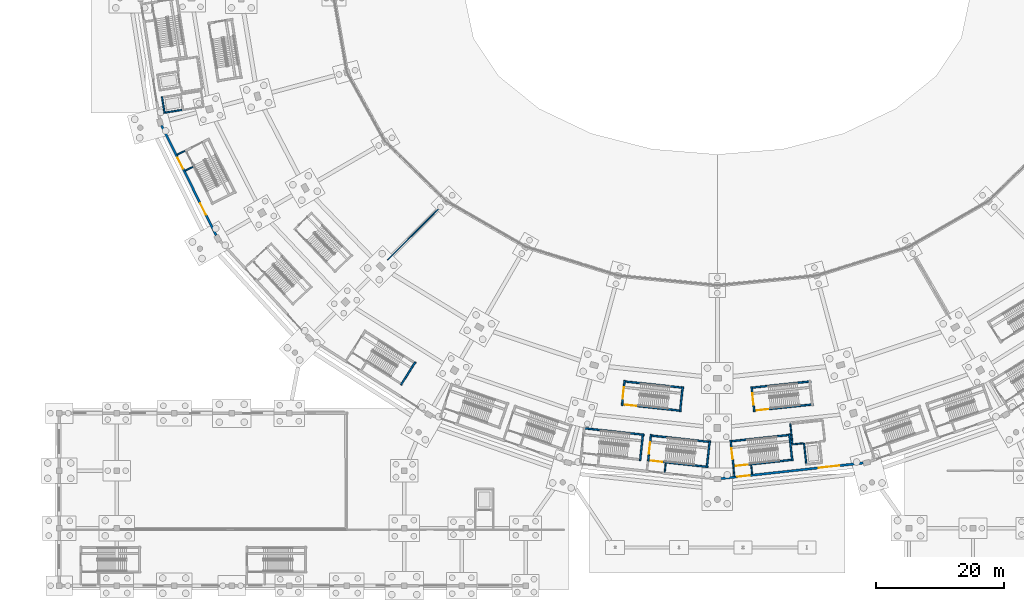
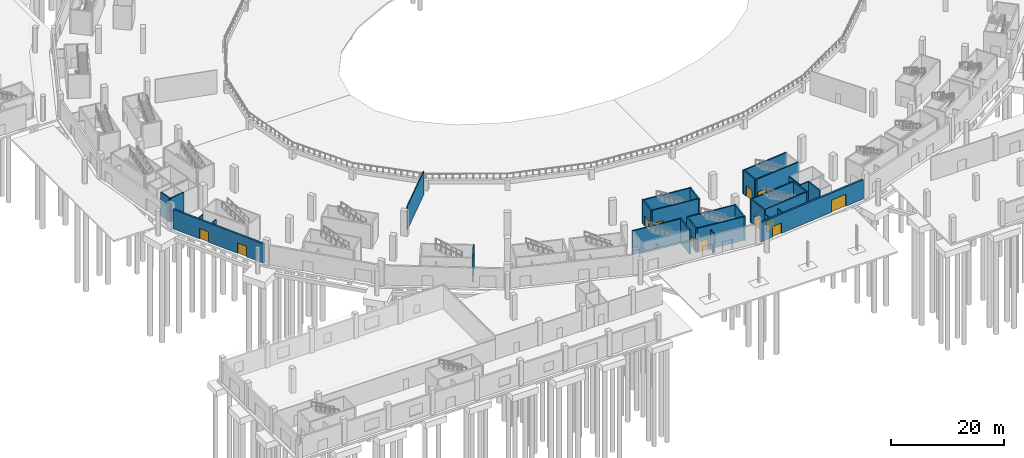
# One storey, part 33 of 103: 31 walls, 12 doors, 12 openings.
"""IFC4 building model written with IfcOpenShell, lengths in metres."""

import ifcopenshell
import ifcopenshell.guid

model = None  # the IFC model being written
_history = None  # IfcOwnerHistory: only IFC2X3 demands one
_inside = {}  # id of a spatial element -> (the spatial element, [elements in it])
_under = {}  # id of a project, library or spatial element -> (it, [spatial elements below it])
_declared = {}  # id of a project -> (the project, [libraries it declares])
_typed = {}  # id of a type object -> (the type object, [elements of that type])
_made_of = {}  # id of a material, layer set ... -> (it, [elements and type objects made of it])


def new_model(schema):
    """Start an empty IFC model of exactly this schema.

    Asked for "IFC4X3", IfcOpenShell would pick the latest addendum, in which some entities
    have other attributes; the version numbers below select the first issue.
    IFC2X3 requires an IfcOwnerHistory on every rooted entity: one is made here for all.
    """
    global model, _history
    if schema == "IFC4X3":
        model = ifcopenshell.file(schema_version=(4, 3, 0, 0))
    else:
        model = ifcopenshell.file(schema=schema)
    _inside.clear()
    _under.clear()
    _declared.clear()
    _typed.clear()
    _made_of.clear()
    _history = None
    if model.schema == "IFC2X3":
        org = make("IfcOrganization", Name="unknown")
        user = make(
            "IfcPersonAndOrganization",
            ThePerson=make("IfcPerson", FamilyName="unknown"),
            TheOrganization=org,
        )
        app = make(
            "IfcApplication",
            ApplicationDeveloper=org,
            Version="unknown",
            ApplicationFullName="unknown",
            ApplicationIdentifier="unknown",
        )
        _history = make(
            "IfcOwnerHistory",
            OwningUser=user,
            OwningApplication=app,
            ChangeAction="ADDED",
            CreationDate=0,
        )
    return model


def make(cls, **values):
    """One entity of the class cls with the attributes given. An attribute that is None is left unset."""
    return model.create_entity(
        cls, **{name: value for name, value in values.items() if value is not None}
    )


def rooted(cls, **values):
    """An entity with a GlobalId (a new one), such as an element, a storey or a relation."""
    return make(cls, GlobalId=ifcopenshell.guid.new(), OwnerHistory=_history, **values)


def si_unit(unit_type, name, prefix=None):
    """IfcSIUnit, for example si_unit("LENGTHUNIT", "METRE", prefix="MILLI")."""
    return make("IfcSIUnit", UnitType=unit_type, Prefix=prefix, Name=name)


def assignment(units):
    """IfcUnitAssignment: the units of a project."""
    return None if units is None else make("IfcUnitAssignment", Units=units)


def point(xyz):
    """IfcCartesianPoint."""
    return None if xyz is None else make("IfcCartesianPoint", Coordinates=xyz)


def direction(xyz):
    """IfcDirection."""
    return None if xyz is None else make("IfcDirection", DirectionRatios=xyz)


def frame(location, z_axis=None, x_axis=None):
    """IfcAxis2Placement3D, a coordinate frame: its origin and axes. An axis left out is left unset."""
    return make(
        "IfcAxis2Placement3D",
        Location=point(location),
        Axis=direction(z_axis),
        RefDirection=direction(x_axis),
    )


def frame_2d(location, x_axis=None):
    """IfcAxis2Placement2D, a coordinate frame in the plane: its origin and x axis."""
    return make(
        "IfcAxis2Placement2D", Location=point(location), RefDirection=direction(x_axis)
    )


def origin():
    """The frame at (0, 0, 0) with its axes left unset."""
    return frame((0.0, 0.0, 0.0))


def place(relative_to, where):
    """IfcLocalPlacement: puts the frame where relative to a parent placement (None: the world)."""
    return make(
        "IfcLocalPlacement", PlacementRelTo=relative_to, RelativePlacement=where
    )


def context(
    kind, dimensions, precision=None, world=None, true_north=None, identifier=None
):
    """IfcGeometricRepresentationContext, for example the 3D "Model" context."""
    return make(
        "IfcGeometricRepresentationContext",
        ContextIdentifier=identifier,
        ContextType=kind,
        CoordinateSpaceDimension=dimensions,
        Precision=precision,
        WorldCoordinateSystem=world,
        TrueNorth=true_north,
    )


def subcontext(parent, identifier, kind, view, scale=None):
    """IfcGeometricRepresentationSubContext, for example "Body" below "Model"."""
    return make(
        "IfcGeometricRepresentationSubContext",
        ContextIdentifier=identifier,
        ContextType=kind,
        ParentContext=parent,
        TargetScale=scale,
        TargetView=view,
    )


def project(units=None, contexts=None):
    """IfcProject with its units and contexts."""
    return rooted(
        "IfcProject",
        Name="project",
        RepresentationContexts=contexts,
        UnitsInContext=assignment(units),
    )


def spatial(cls, under=None, at=None, **own):
    """A site, building, storey or space (cls), placed at a placement, below another one or the project."""
    s = rooted(cls, ObjectPlacement=at, **own)
    if under is not None:
        _under.setdefault(under.id(), (under, []))[1].append(s)
    return s


def profile(cls, at=None, kind="AREA", **sizes):
    """A parametric profile (cls). Its sizes go by their IFC names, for example OverallWidth=200.0."""
    return make(cls, ProfileType=kind, Position=at, **sizes)


def rectangle(**sizes):
    """IfcRectangleProfileDef."""
    return profile("IfcRectangleProfileDef", **sizes)


def extrude(swept, where, along, depth):
    """IfcExtrudedAreaSolid: the profile swept, set in the frame where, extruded along a direction by depth."""
    return make(
        "IfcExtrudedAreaSolid",
        SweptArea=swept,
        Position=where,
        ExtrudedDirection=direction(along),
        Depth=depth,
    )


def shape(context_of_items, identifier, shape_type, items):
    """IfcShapeRepresentation: the items that make up one representation, for example the "Body"."""
    return make(
        "IfcShapeRepresentation",
        ContextOfItems=context_of_items,
        RepresentationIdentifier=identifier,
        RepresentationType=shape_type,
        Items=items,
    )


def material(Name=None, Category=None):
    """IfcMaterial."""
    return make("IfcMaterial", Name=Name, Category=Category)


def layer(
    of_material, thickness, ventilated=None, Name=None, Category=None, Priority=None
):
    """IfcMaterialLayer: one layer of a wall or slab, of a material (None: an air gap)."""
    return make(
        "IfcMaterialLayer",
        Material=of_material,
        LayerThickness=thickness,
        IsVentilated=ventilated,
        Name=Name,
        Category=Category,
        Priority=Priority,
    )


def layer_set(layers, Name=None):
    """IfcMaterialLayerSet."""
    return make("IfcMaterialLayerSet", MaterialLayers=layers, LayerSetName=Name)


def made_of(thing, what):
    """Note that an element or type object is made of a material, layer set ...; save() writes the relation."""
    if what is not None:
        _made_of.setdefault(what.id(), (what, []))[1].append(thing)
    return thing


def type_object(cls, material=None, **own):
    """A type object (cls), such as IfcWallType, which elements share."""
    return made_of(rooted(cls, **own), material)


def element(
    cls,
    number,
    at=None,
    inside=None,
    cuts=None,
    type_object=None,
    material=None,
    context=None,
    identifier="Body",
    shape_type=None,
    held_by="IfcProductDefinitionShape",
    body=None,
    shapes=None,
    **own,
):
    """One element of the class cls, such as IfcWall. Its Tag is "e" and its number.

    at: its placement. inside: the storey or other place that contains it. cuts: it is an
    opening in that element (IfcRelVoidsElement). A single representation is given by context,
    identifier, shape_type and body (its items); several are given by shapes. held_by: the class
    of the entity that holds the representations. save() writes the other relations.
    """
    e = rooted(cls, Tag="e%d" % number, ObjectPlacement=at, **own)
    if body is not None:
        shapes = [shape(context, identifier, shape_type, body)]
    if shapes is not None:
        e.Representation = make(held_by, Representations=shapes)
    if inside is not None:
        _inside.setdefault(inside.id(), (inside, []))[1].append(e)
    if cuts is not None:
        rooted(
            "IfcRelVoidsElement", RelatingBuildingElement=cuts, RelatedOpeningElement=e
        )
    if type_object is not None:
        _typed.setdefault(type_object.id(), (type_object, []))[1].append(e)
    return made_of(e, material)


def fill(opening, filler):
    """IfcRelFillsElement: the door or window that sits in an opening."""
    return rooted(
        "IfcRelFillsElement",
        RelatingOpeningElement=opening,
        RelatedBuildingElement=filler,
    )


def aggregate(whole, parts):
    """IfcRelAggregates: a whole, such as a stair, and the parts it consists of."""
    return rooted("IfcRelAggregates", RelatingObject=whole, RelatedObjects=parts)


def save(model, path):
    """Write the relations noted so far, then the file.

    IfcRelAggregates (storeys below a building ...), IfcRelContainedInSpatialStructure (elements
    in a storey), IfcRelDefinesByType, IfcRelAssociatesMaterial and IfcRelDeclares: one each for
    every whole, place, type object, material and project.
    """
    for whole, parts in _under.values():
        aggregate(whole, parts)
    for where, things in _inside.values():
        rooted(
            "IfcRelContainedInSpatialStructure",
            RelatedElements=things,
            RelatingStructure=where,
        )
    for kind, things in _typed.values():
        rooted("IfcRelDefinesByType", RelatedObjects=things, RelatingType=kind)
    for what, things in _made_of.values():
        rooted("IfcRelAssociatesMaterial", RelatedObjects=things, RelatingMaterial=what)
    for by, libraries in _declared.values():
        rooted("IfcRelDeclares", RelatingContext=by, RelatedDefinitions=libraries)
    model.write(path)


model = new_model("IFC4")

# Units and contexts
model_context = context("Model", 3, precision=1e-05, world=origin(), true_north=direction((0.0, 1.0)))
body_context = subcontext(model_context, "Body", "Model", "MODEL_VIEW")
ifc_project = project(units=[si_unit("LENGTHUNIT", "METRE"), si_unit("AREAUNIT", "SQUARE_METRE"), si_unit("VOLUMEUNIT", "CUBIC_METRE"), si_unit("PLANEANGLEUNIT", "RADIAN"), si_unit("MASSUNIT", "GRAM", prefix="KILO")], contexts=[model_context])

# Site, building, storey
site_placement = place(None, origin())
site = spatial("IfcSite", under=ifc_project, at=site_placement, CompositionType="ELEMENT")
building_placement = place(site_placement, origin())
building = spatial("IfcBuilding", under=site, at=building_placement, Name="Zevraka Park Crest Stadium", CompositionType="ELEMENT")
storey_placement = place(building_placement, origin())
storey = spatial("IfcBuildingStorey", under=building, at=storey_placement, Name="L00", CompositionType="ELEMENT", Elevation=0.0)

# Wall, openings, doors
ifc_material_1 = material(Name="Limestone and red clay brick masonry", Category="masonry")
ifc_layer_1 = layer(ifc_material_1, 0.35009765625)
ifc_layer_set_1 = layer_set([ifc_layer_1], Name="Limestone and red clay brick masonry")
wall_type_1 = type_object("IfcWallType", Name="EW01", PredefinedType="STANDARD", material=ifc_layer_set_1)
wall_1_placement = place(storey_placement, frame((33.56396484375, 54.821044921875, 0.0), z_axis=(0.0, 0.0, 1.0), x_axis=(-0.444884558919, 0.895587923788, 0.0)))
wall_1 = element("IfcWall", 1, at=wall_1_placement, inside=storey, type_object=wall_type_1, Name="L00 Pointed-Arch Colonnade Wall EW01 13", PredefinedType="STANDARD", context=body_context, shape_type="SweptSolid", body=[
    extrude(rectangle(XDim=19.21630859375, YDim=0.35009765625, at=frame_2d((9.608154296875, 0.0))), origin(), (0.0, 0.0, 1.0), 4.1650390625),
])
opening_1_placement = place(wall_1_placement, frame((11.656005859375, 0.0, 0.0)))
opening_1 = element("IfcOpeningElement", 2, at=opening_1_placement, cuts=wall_1, Name="Opening D-L00-EX-ST14", PredefinedType="OPENING", context=body_context, shape_type="SweptSolid", body=[
    extrude(rectangle(XDim=1.949951171875, YDim=2.25, at=frame_2d((0.97509765625, 1.125))), frame((0.0, 0.18505859375, 0.0), z_axis=(0.0, -1.0, 0.0), x_axis=(1.0, 0.0, 0.0)), (0.0, 0.0, 1.0), 0.3701171875),
])
opening_2_placement = place(wall_1_placement, frame((3.636962890625, 0.0, 0.0)))
opening_2 = element("IfcOpeningElement", 3, at=opening_2_placement, cuts=wall_1, Name="Opening D-L00-E14", PredefinedType="OPENING", context=body_context, shape_type="SweptSolid", body=[
    extrude(rectangle(XDim=1.949951171875, YDim=2.25, at=frame_2d((0.97509765625, 1.125))), frame((0.0, 0.18505859375, 0.0), z_axis=(0.0, -1.0, 0.0), x_axis=(1.0, 0.0, 0.0)), (0.0, 0.0, 1.0), 0.3701171875),
])
ifc_material_2 = material(Name="Thermally broken architectural aluminium and safety glass", Category="aluminium")
door_type_1 = type_object("IfcDoorType", Name="ED05", OperationType="NOTDEFINED", PredefinedType="DOOR", material=ifc_material_2)
door_1_placement = place(opening_1_placement, origin())
door_1 = element("IfcDoor", 4, at=door_1_placement, inside=storey, type_object=door_type_1, Name="Stair Final Exit Discharge Door D-L00-EX-ST14", OperationType="DOUBLE_DOOR_SINGLE_SWING", OverallHeight=2.25, OverallWidth=1.949951171875, PredefinedType="DOOR", context=body_context, shape_type="SweptSolid", body=[
    extrude(rectangle(XDim=1.949951171875, YDim=2.25, at=frame_2d((0.97509765625, 1.125))), frame((0.0, 0.02490234375, 0.0), z_axis=(0.0, -1.0, 0.0), x_axis=(1.0, 0.0, 0.0)), (0.0, 0.0, 1.0), 0.050048828125),
])
fill(opening_1, door_1)
door_2_placement = place(opening_2_placement, origin())
door_2 = element("IfcDoor", 5, at=door_2_placement, inside=storey, type_object=door_type_1, Name="Concourse Final Exit E14", OperationType="DOUBLE_DOOR_SINGLE_SWING", OverallHeight=2.25, OverallWidth=1.949951171875, PredefinedType="DOOR", context=body_context, shape_type="SweptSolid", body=[
    extrude(rectangle(XDim=1.949951171875, YDim=2.25, at=frame_2d((0.97509765625, 1.125))), frame((0.0, 0.02490234375, 0.0), z_axis=(0.0, -1.0, 0.0), x_axis=(1.0, 0.0, 0.0)), (0.0, 0.0, 1.0), 0.050048828125),
])
fill(opening_2, door_2)

wall_2_placement = place(storey_placement, frame((134.843017578125, 19.2080078125, 0.0), z_axis=(0.0, 0.0, 1.0), x_axis=(-0.994028735725, -0.10911861689, 0.0)))
wall_2 = element("IfcWall", 6, at=wall_2_placement, inside=storey, type_object=wall_type_1, Name="L00 Pointed-Arch Colonnade Wall EW01 18", PredefinedType="STANDARD", context=body_context, shape_type="SweptSolid", body=[
    extrude(rectangle(XDim=22.4521484375, YDim=0.35009765625, at=frame_2d((11.22607421875, 0.0))), origin(), (0.0, 0.0, 1.0), 4.1650390625),
])
opening_3_placement = place(wall_2_placement, frame((17.906005859375, 0.0, 0.0)))
opening_3 = element("IfcOpeningElement", 7, at=opening_3_placement, cuts=wall_2, Name="Opening D-L00-EX-ST19", PredefinedType="OPENING", context=body_context, shape_type="SweptSolid", body=[
    extrude(rectangle(XDim=1.949951171875, YDim=2.25, at=frame_2d((0.97509765625, 1.125))), frame((0.0, 0.18505859375, 0.0), z_axis=(0.0, -1.0, 0.0), x_axis=(1.0, 0.0, 0.0)), (0.0, 0.0, 1.0), 0.3701171875),
])
opening_4_placement = place(wall_2_placement, frame((3.7880859375, 0.0, 0.0)))
opening_4 = element("IfcOpeningElement", 8, at=opening_4_placement, cuts=wall_2, Name="Opening D-L00-E19", PredefinedType="OPENING", context=body_context, shape_type="SweptSolid", body=[
    extrude(rectangle(XDim=3.199951171875, YDim=2.60009765625, at=frame_2d((1.60009765625, 1.300048828125))), frame((0.0, 0.18505859375, 0.0), z_axis=(0.0, -1.0, 0.0), x_axis=(1.0, 0.0, 0.0)), (0.0, 0.0, 1.0), 0.3701171875),
])
ifc_material_3 = material(Name="Thermally broken architectural aluminium and safety glass", Category="aluminium")
door_type_2 = type_object("IfcDoorType", Name="ED03", OperationType="NOTDEFINED", PredefinedType="DOOR", material=ifc_material_3)
door_3_placement = place(opening_4_placement, origin())
door_3 = element("IfcDoor", 9, at=door_3_placement, inside=storey, type_object=door_type_2, Name="Concourse Final Exit E19", OperationType="DOUBLE_DOOR_SINGLE_SWING", OverallHeight=2.60009765625, OverallWidth=3.199951171875, PredefinedType="DOOR", context=body_context, shape_type="SweptSolid", body=[
    extrude(rectangle(XDim=3.199951171875, YDim=2.60009765625, at=frame_2d((1.60009765625, 1.300048828125))), frame((0.0, 0.02490234375, 0.0), z_axis=(0.0, -1.0, 0.0), x_axis=(1.0, 0.0, 0.0)), (0.0, 0.0, 1.0), 0.050048828125),
])
fill(opening_4, door_3)
door_4_placement = place(opening_3_placement, origin())
door_4 = element("IfcDoor", 10, at=door_4_placement, inside=storey, type_object=door_type_1, Name="Stair Final Exit Discharge Door D-L00-EX-ST19", OperationType="DOUBLE_DOOR_SINGLE_SWING", OverallHeight=2.25, OverallWidth=1.949951171875, PredefinedType="DOOR", context=body_context, shape_type="SweptSolid", body=[
    extrude(rectangle(XDim=1.949951171875, YDim=2.25, at=frame_2d((0.97509765625, 1.125))), frame((0.0, 0.02490234375, 0.0), z_axis=(0.0, -1.0, 0.0), x_axis=(1.0, 0.0, 0.0)), (0.0, 0.0, 1.0), 0.050048828125),
])
fill(opening_3, door_4)

# Walls
ifc_material_4 = material(Name="Autoclaved aerated masonry blockwork", Category="masonry")
ifc_layer_2 = layer(ifc_material_4, 0.199951171875)
ifc_layer_set_2 = layer_set([ifc_layer_2], Name="Autoclaved aerated masonry blockwork")
wall_type_2 = type_object("IfcWallType", Name="IW01", PredefinedType="PARTITIONING", material=ifc_layer_set_2)
wall_3_placement = place(storey_placement, frame((28.67822265625, 68.06005859375, 0.0), z_axis=(0.0, 0.0, 1.0), x_axis=(-0.895788443733, -0.444480667829, 0.0)))
element("IfcWall", 11, at=wall_3_placement, inside=storey, type_object=wall_type_2, Name="Protected Exit Passageway Wall IW01 ST14-A", PredefinedType="PARTITIONING", context=body_context, shape_type="SweptSolid", body=[
    extrude(rectangle(XDim=1.35888671875, YDim=0.199951171875, at=frame_2d((0.679443359375, 0.0))), origin(), (0.0, 0.0, 1.0), 4.1650390625),
])
wall_4_placement = place(storey_placement, frame((29.932373046875, 65.556640625, 0.0), z_axis=(0.0, 0.0, 1.0), x_axis=(-0.895601808574, -0.44485660665, 0.0)))
element("IfcWall", 12, at=wall_4_placement, inside=storey, type_object=wall_type_2, Name="Protected Exit Passageway Wall IW01 ST14-B", PredefinedType="PARTITIONING", context=body_context, shape_type="SweptSolid", body=[
    extrude(rectangle(XDim=1.3681640625, YDim=0.199951171875, at=frame_2d((0.68408203125, 0.0))), origin(), (0.0, 0.0, 1.0), 4.1650390625),
])
wall_5_placement = place(storey_placement, frame((114.514892578125, 18.53125, 0.0), z_axis=(0.0, 0.0, 1.0), x_axis=(0.109371701479, -0.994000920983, 0.0)))
element("IfcWall", 13, at=wall_5_placement, inside=storey, type_object=wall_type_2, Name="Protected Exit Passageway Wall IW01 ST19-A", PredefinedType="PARTITIONING", context=body_context, shape_type="SweptSolid", body=[
    extrude(rectangle(XDim=1.390625, YDim=0.199951171875, at=frame_2d((0.6953125, 0.0))), origin(), (0.0, 0.0, 1.0), 4.1650390625),
])
wall_6_placement = place(storey_placement, frame((117.298583984375, 18.834228515625, 0.0), z_axis=(0.0, 0.0, 1.0), x_axis=(0.109022528394, -0.994039279054, 0.0)))
element("IfcWall", 14, at=wall_6_placement, inside=storey, type_object=wall_type_2, Name="Protected Exit Passageway Wall IW01 ST19-B", PredefinedType="PARTITIONING", context=body_context, shape_type="SweptSolid", body=[
    extrude(rectangle(XDim=1.388427734375, YDim=0.199951171875, at=frame_2d((0.6943359375, 0.0))), origin(), (0.0, 0.0, 1.0), 4.1650390625),
])
wall_7_placement = place(storey_placement, frame((103.91748046875, 19.1376953125, 0.0), z_axis=(0.0, 0.0, 1.0), x_axis=(-0.109213425596, -0.994018323609, 0.0)))
element("IfcWall", 15, at=wall_7_placement, inside=storey, type_object=wall_type_2, Name="Protected Exit Passageway Wall IW01 ST30-B", PredefinedType="PARTITIONING", context=body_context, shape_type="SweptSolid", body=[
    extrude(rectangle(XDim=1.385986328125, YDim=0.199951171875, at=frame_2d((0.69287109375, 0.0))), origin(), (0.0, 0.0, 1.0), 4.1650390625),
])
wall_8_placement = place(storey_placement, frame((125.47509765625, 22.302001953125, 0.0), z_axis=(0.0, 0.0, 1.0), x_axis=(-0.994135511072, -0.108141507414, 0.0)))
element("IfcWall", 16, at=wall_8_placement, inside=storey, type_object=wall_type_2, Name="Firefighting Lift Lobby Wall IW01 FL04 L00 BACKR", PredefinedType="PARTITIONING", context=body_context, shape_type="SweptSolid", body=[
    extrude(rectangle(XDim=1.72021484375, YDim=0.199951171875, at=frame_2d((0.860107421875, 0.0))), origin(), (0.0, 0.0, 1.0), 5.080078125),
])
wall_9_placement = place(storey_placement, frame((123.764892578125, 22.115966796875, 0.0), z_axis=(0.0, 0.0, 1.0), x_axis=(-0.108280975823, 0.994120329877, 0.0)))
element("IfcWall", 17, at=wall_9_placement, inside=storey, type_object=wall_type_2, Name="Firefighting Lift Lobby Wall IW01 FL04 L00 RIGHT", PredefinedType="PARTITIONING", context=body_context, shape_type="SweptSolid", body=[
    extrude(rectangle(XDim=3.239990234375, YDim=0.199951171875, at=frame_2d((1.6201171875, 0.0))), origin(), (0.0, 0.0, 1.0), 5.080078125),
])
ifc_material_5 = material(Name="Fire-rated twin-stud acoustic drywall", Category="other")
ifc_layer_3 = layer(ifc_material_5, 0.159912109375)
ifc_layer_set_3 = layer_set([ifc_layer_3], Name="Fire-rated twin-stud acoustic drywall")
wall_type_3 = type_object("IfcWallType", Name="IW02", PredefinedType="PARTITIONING", material=ifc_layer_set_3)
wall_10_placement = place(storey_placement, frame((68.3720703125, 58.97802734375, 0.0), z_axis=(0.0, 0.0, 1.0), x_axis=(-0.707149989667, -0.707063570066, 0.0)))
element("IfcWall", 18, at=wall_10_placement, inside=storey, type_object=wall_type_3, Name="Interior Partition IW02 Pitch Equipment and Turf Maintenance Store L00", PredefinedType="PARTITIONING", context=body_context, shape_type="SweptSolid", body=[
    extrude(rectangle(XDim=11.30029296875, YDim=0.159912109375, at=frame_2d((5.650146484375, 0.0))), origin(), (0.0, 0.0, 1.0), 5.080078125),
])
ifc_material_6 = material(Name="Concrete C40/50", Category="concrete")
ifc_layer_4 = layer(ifc_material_6, 0.25)
ifc_layer_set_4 = layer_set([ifc_layer_4], Name="Concrete C40/50")
wall_type_4 = type_object("IfcWallType", Name="SW01", PredefinedType="SHEAR", material=ifc_layer_set_4)
wall_11_placement = place(storey_placement, frame((62.466796875, 31.4248046875, 0.0), z_axis=(0.0, 0.0, 1.0), x_axis=(0.53572544074, 0.844392238325, 0.0)))
element("IfcWall", 19, at=wall_11_placement, inside=storey, type_object=wall_type_4, Name="Stair Core Shear Wall SW01 ST16 L00 far", PredefinedType="SHEAR", context=body_context, shape_type="SweptSolid", body=[
    extrude(rectangle(XDim=4.260009765625, YDim=0.25, at=frame_2d((2.1298828125, 0.0))), origin(), (0.0, 0.0, 1.0), 5.10009765625),
])
wall_12_placement = place(storey_placement, frame((100.532958984375, 23.6201171875, 0.0), z_axis=(0.0, 0.0, 1.0), x_axis=(-0.994127555169, 0.108214620337, 0.0)))
element("IfcWall", 20, at=wall_12_placement, inside=storey, type_object=wall_type_4, Name="Stair Core Shear Wall SW01 ST18 L00 right", PredefinedType="SHEAR", context=body_context, shape_type="SweptSolid", body=[
    extrude(rectangle(XDim=9.550048828125, YDim=0.25, at=frame_2d((4.77490234375, 0.0))), origin(), (0.0, 0.0, 1.0), 5.10009765625),
])
wall_13_placement = place(storey_placement, frame((99.906494140625, 19.573974609375, 0.0), z_axis=(0.0, 0.0, 1.0), x_axis=(0.108198315262, 0.994129329903, 0.0)))
element("IfcWall", 21, at=wall_13_placement, inside=storey, type_object=wall_type_4, Name="Stair Core Shear Wall SW01 ST18 L00 far", PredefinedType="SHEAR", context=body_context, shape_type="SweptSolid", body=[
    extrude(rectangle(XDim=4.260009765625, YDim=0.25, at=frame_2d((2.1298828125, 0.0))), origin(), (0.0, 0.0, 1.0), 5.10009765625),
])

# Wall, opening, door
wall_14_placement = place(storey_placement, frame((123.89111328125, 19.722900390625, 0.0), z_axis=(0.0, 0.0, 1.0), x_axis=(-0.994127555169, -0.108214620337, 0.0)))
wall_14 = element("IfcWall", 22, at=wall_14_placement, inside=storey, type_object=wall_type_4, Name="Stair Core Shear Wall SW01 ST19 L00 left", PredefinedType="SHEAR", context=body_context, shape_type="SweptSolid", body=[
    extrude(rectangle(XDim=9.550048828125, YDim=0.25, at=frame_2d((4.77490234375, 0.0))), origin(), (0.0, 0.0, 1.0), 5.10009765625),
])
opening_5_placement = place(wall_14_placement, frame((7.18994140625, 0.0, 0.0)))
opening_5 = element("IfcOpeningElement", 23, at=opening_5_placement, cuts=wall_14, Name="Opening D-L00-110", PredefinedType="OPENING", context=body_context, shape_type="SweptSolid", body=[
    extrude(rectangle(XDim=1.85009765625, YDim=2.300048828125, at=frame_2d((0.925048828125, 1.14990234375))), frame((0.0, 0.135009765625, 0.0), z_axis=(0.0, -1.0, 0.0), x_axis=(1.0, 0.0, 0.0)), (0.0, 0.0, 1.0), 0.27001953125),
])
ifc_material_7 = material(Name="Solid-core hardwood timber leaf in steel frame", Category="steel")
door_type_3 = type_object("IfcDoorType", Name="DR05", OperationType="NOTDEFINED", PredefinedType="DOOR", material=ifc_material_7)
door_5_placement = place(opening_5_placement, origin())
door_5 = element("IfcDoor", 24, at=door_5_placement, inside=storey, type_object=door_type_3, Name="Stair Exit Discharge Door ST19", OperationType="DOUBLE_DOOR_SINGLE_SWING", OverallHeight=2.300048828125, OverallWidth=1.85009765625, PredefinedType="DOOR", context=body_context, shape_type="SweptSolid", body=[
    extrude(rectangle(XDim=1.85009765625, YDim=2.300048828125, at=frame_2d((0.925048828125, 1.14990234375))), frame((0.0, 0.02490234375, 0.0), z_axis=(0.0, -1.0, 0.0), x_axis=(1.0, 0.0, 0.0)), (0.0, 0.0, 1.0), 0.050048828125),
])
fill(opening_5, door_5)

# Wall
wall_15_placement = place(storey_placement, frame((123.466796875, 23.619873046875, 0.0), z_axis=(0.0, 0.0, 1.0), x_axis=(-0.994127555169, -0.108214620337, 0.0)))
element("IfcWall", 25, at=wall_15_placement, inside=storey, type_object=wall_type_4, Name="Stair Core Shear Wall SW01 ST19 L00 right", PredefinedType="SHEAR", context=body_context, shape_type="SweptSolid", body=[
    extrude(rectangle(XDim=9.550048828125, YDim=0.25, at=frame_2d((4.77490234375, 0.0))), origin(), (0.0, 0.0, 1.0), 5.10009765625),
])

# Wall, opening, door
wall_16_placement = place(storey_placement, frame((114.078857421875, 22.76904296875, 0.0), z_axis=(0.0, 0.0, 1.0), x_axis=(0.108198315262, -0.994129329903, 0.0)))
wall_16 = element("IfcWall", 26, at=wall_16_placement, inside=storey, type_object=wall_type_4, Name="Stair Core Shear Wall SW01 ST19 L00 near", PredefinedType="SHEAR", context=body_context, shape_type="SweptSolid", body=[
    extrude(rectangle(XDim=4.260009765625, YDim=0.25, at=frame_2d((2.1298828125, 0.0))), origin(), (0.0, 0.0, 1.0), 5.10009765625),
])
opening_6_placement = place(wall_16_placement, frame((1.22998046875, 0.0, 0.0)))
opening_6 = element("IfcOpeningElement", 27, at=opening_6_placement, cuts=wall_16, Name="Opening D-L00-109", PredefinedType="OPENING", context=body_context, shape_type="SweptSolid", body=[
    extrude(rectangle(XDim=1.800048828125, YDim=2.25, at=frame_2d((0.89990234375, 1.125))), frame((0.0, 0.135009765625, 0.0), z_axis=(0.0, -1.0, 0.0), x_axis=(1.0, 0.0, 0.0)), (0.0, 0.0, 1.0), 0.27001953125),
])
ifc_material_8 = material(Name="Solid-core hardwood timber leaf in steel frame", Category="steel")
door_type_4 = type_object("IfcDoorType", Name="DR04", OperationType="NOTDEFINED", PredefinedType="DOOR", material=ifc_material_8)
door_6_placement = place(opening_6_placement, origin())
door_6 = element("IfcDoor", 28, at=door_6_placement, inside=storey, type_object=door_type_4, Name="Protected Stair Entry Door ST19 L00", OperationType="DOUBLE_DOOR_SINGLE_SWING", OverallHeight=2.25, OverallWidth=1.800048828125, PredefinedType="DOOR", context=body_context, shape_type="SweptSolid", body=[
    extrude(rectangle(XDim=1.800048828125, YDim=2.25, at=frame_2d((0.89990234375, 1.125))), frame((0.0, 0.02490234375, 0.0), z_axis=(0.0, -1.0, 0.0), x_axis=(1.0, 0.0, 0.0)), (0.0, 0.0, 1.0), 0.050048828125),
])
fill(opening_6, door_6)

# Wall
wall_17_placement = place(storey_placement, frame((123.7255859375, 19.533935546875, 0.0), z_axis=(0.0, 0.0, 1.0), x_axis=(-0.108204479885, 0.994128658944, 0.0)))
element("IfcWall", 29, at=wall_17_placement, inside=storey, type_object=wall_type_4, Name="Stair Core Shear Wall SW01 ST19 L00 far", PredefinedType="SHEAR", context=body_context, shape_type="SweptSolid", body=[
    extrude(rectangle(XDim=4.259765625, YDim=0.25, at=frame_2d((2.1298828125, 0.0))), origin(), (0.0, 0.0, 1.0), 5.10009765625),
])

# Wall, opening, door
wall_18_placement = place(storey_placement, frame((110.546630859375, 18.587158203125, 0.0), z_axis=(0.0, 0.0, 1.0), x_axis=(-0.994127555169, 0.108214620337, 0.0)))
wall_18 = element("IfcWall", 30, at=wall_18_placement, inside=storey, type_object=wall_type_4, Name="Stair Core Shear Wall SW01 ST30 L00 left", PredefinedType="SHEAR", context=body_context, shape_type="SweptSolid", body=[
    extrude(rectangle(XDim=9.550048828125, YDim=0.25, at=frame_2d((4.77490234375, 0.0))), origin(), (0.0, 0.0, 1.0), 5.10009765625),
])
opening_7_placement = place(wall_18_placement, frame((7.18994140625, 0.0, 0.0)))
opening_7 = element("IfcOpeningElement", 31, at=opening_7_placement, cuts=wall_18, Name="Opening D-L00-171", PredefinedType="OPENING", context=body_context, shape_type="SweptSolid", body=[
    extrude(rectangle(XDim=1.85009765625, YDim=2.300048828125, at=frame_2d((0.925048828125, 1.14990234375))), frame((0.0, 0.135009765625, 0.0), z_axis=(0.0, -1.0, 0.0), x_axis=(1.0, 0.0, 0.0)), (0.0, 0.0, 1.0), 0.27001953125),
])
door_7_placement = place(opening_7_placement, origin())
door_7 = element("IfcDoor", 32, at=door_7_placement, inside=storey, type_object=door_type_3, Name="Stair Exit Discharge Door ST30", OperationType="DOUBLE_DOOR_SINGLE_SWING", OverallHeight=2.300048828125, OverallWidth=1.85009765625, PredefinedType="DOOR", context=body_context, shape_type="SweptSolid", body=[
    extrude(rectangle(XDim=1.85009765625, YDim=2.300048828125, at=frame_2d((0.925048828125, 1.14990234375))), frame((0.0, 0.02490234375, 0.0), z_axis=(0.0, -1.0, 0.0), x_axis=(1.0, 0.0, 0.0)), (0.0, 0.0, 1.0), 0.050048828125),
])
fill(opening_7, door_7)

# Wall
wall_19_placement = place(storey_placement, frame((110.970947265625, 22.484130859375, 0.0), z_axis=(0.0, 0.0, 1.0), x_axis=(-0.994127555169, 0.108214620337, 0.0)))
element("IfcWall", 33, at=wall_19_placement, inside=storey, type_object=wall_type_4, Name="Stair Core Shear Wall SW01 ST30 L00 right", PredefinedType="SHEAR", context=body_context, shape_type="SweptSolid", body=[
    extrude(rectangle(XDim=9.550048828125, YDim=0.25, at=frame_2d((4.77490234375, 0.0))), origin(), (0.0, 0.0, 1.0), 5.10009765625),
])

# Wall, opening, door
wall_20_placement = place(storey_placement, frame((101.61962890625, 23.673095703125, 0.0), z_axis=(0.0, 0.0, 1.0), x_axis=(-0.108198315262, -0.994129329903, 0.0)))
wall_20 = element("IfcWall", 34, at=wall_20_placement, inside=storey, type_object=wall_type_4, Name="Stair Core Shear Wall SW01 ST30 L00 near", PredefinedType="SHEAR", context=body_context, shape_type="SweptSolid", body=[
    extrude(rectangle(XDim=4.260009765625, YDim=0.25, at=frame_2d((2.1298828125, 0.0))), origin(), (0.0, 0.0, 1.0), 5.10009765625),
])
opening_8_placement = place(wall_20_placement, frame((1.22998046875, 0.0, 0.0)))
opening_8 = element("IfcOpeningElement", 35, at=opening_8_placement, cuts=wall_20, Name="Opening D-L00-170", PredefinedType="OPENING", context=body_context, shape_type="SweptSolid", body=[
    extrude(rectangle(XDim=1.800048828125, YDim=2.25, at=frame_2d((0.89990234375, 1.125))), frame((0.0, 0.135009765625, 0.0), z_axis=(0.0, -1.0, 0.0), x_axis=(1.0, 0.0, 0.0)), (0.0, 0.0, 1.0), 0.27001953125),
])
door_8_placement = place(opening_8_placement, origin())
door_8 = element("IfcDoor", 36, at=door_8_placement, inside=storey, type_object=door_type_4, Name="Protected Stair Entry Door ST30 L00", OperationType="DOUBLE_DOOR_SINGLE_SWING", OverallHeight=2.25, OverallWidth=1.800048828125, PredefinedType="DOOR", context=body_context, shape_type="SweptSolid", body=[
    extrude(rectangle(XDim=1.800048828125, YDim=2.25, at=frame_2d((0.89990234375, 1.125))), frame((0.0, 0.02490234375, 0.0), z_axis=(0.0, -1.0, 0.0), x_axis=(1.0, 0.0, 0.0)), (0.0, 0.0, 1.0), 0.050048828125),
])
fill(opening_8, door_8)

# Wall
wall_21_placement = place(storey_placement, frame((110.344482421875, 18.43798828125, 0.0), z_axis=(0.0, 0.0, 1.0), x_axis=(0.108198315262, 0.994129329903, 0.0)))
element("IfcWall", 37, at=wall_21_placement, inside=storey, type_object=wall_type_4, Name="Stair Core Shear Wall SW01 ST30 L00 far", PredefinedType="SHEAR", context=body_context, shape_type="SweptSolid", body=[
    extrude(rectangle(XDim=4.260009765625, YDim=0.25, at=frame_2d((2.1298828125, 0.0))), origin(), (0.0, 0.0, 1.0), 5.10009765625),
])

# Wall, opening, door
wall_22_placement = place(storey_placement, frame((106.36083984375, 27.379638671875, 0.0), z_axis=(0.0, 0.0, 1.0), x_axis=(-0.994382608826, 0.105845298736, 0.0)))
wall_22 = element("IfcWall", 38, at=wall_22_placement, inside=storey, type_object=wall_type_4, Name="Stair Core Shear Wall SW01 ST41 L00 left", PredefinedType="SHEAR", context=body_context, shape_type="SweptSolid", body=[
    extrude(rectangle(XDim=9.449951171875, YDim=0.25, at=frame_2d((4.72509765625, 0.0))), origin(), (0.0, 0.0, 1.0), 5.10009765625),
])
opening_9_placement = place(wall_22_placement, frame((7.090087890625, 0.0, 0.0)))
opening_9 = element("IfcOpeningElement", 39, at=opening_9_placement, cuts=wall_22, Name="Opening D-L00-218", PredefinedType="OPENING", context=body_context, shape_type="SweptSolid", body=[
    extrude(rectangle(XDim=1.85009765625, YDim=2.300048828125, at=frame_2d((0.925048828125, 1.14990234375))), frame((0.0, 0.135009765625, 0.0), z_axis=(0.0, -1.0, 0.0), x_axis=(1.0, 0.0, 0.0)), (0.0, 0.0, 1.0), 0.27001953125),
])
door_9_placement = place(opening_9_placement, origin())
door_9 = element("IfcDoor", 40, at=door_9_placement, inside=storey, type_object=door_type_3, Name="Stair Exit Discharge Door ST41", OperationType="DOUBLE_DOOR_SINGLE_SWING", OverallHeight=2.300048828125, OverallWidth=1.85009765625, PredefinedType="DOOR", context=body_context, shape_type="SweptSolid", body=[
    extrude(rectangle(XDim=1.85009765625, YDim=2.300048828125, at=frame_2d((0.925048828125, 1.14990234375))), frame((0.0, 0.02490234375, 0.0), z_axis=(0.0, -1.0, 0.0), x_axis=(1.0, 0.0, 0.0)), (0.0, 0.0, 1.0), 0.050048828125),
])
fill(opening_9, door_9)

# Wall
wall_23_placement = place(storey_placement, frame((106.744140625, 30.979248046875, 0.0), z_axis=(0.0, 0.0, 1.0), x_axis=(-0.994382608826, 0.105845298736, 0.0)))
element("IfcWall", 41, at=wall_23_placement, inside=storey, type_object=wall_type_4, Name="Stair Core Shear Wall SW01 ST41 L00 right", PredefinedType="SHEAR", context=body_context, shape_type="SweptSolid", body=[
    extrude(rectangle(XDim=9.449951171875, YDim=0.25, at=frame_2d((4.72509765625, 0.0))), origin(), (0.0, 0.0, 1.0), 5.10009765625),
])

# Wall, opening, door
wall_24_placement = place(storey_placement, frame((97.489501953125, 32.135498046875, 0.0), z_axis=(0.0, 0.0, 1.0), x_axis=(-0.105856095603, -0.994381459513, 0.0)))
wall_24 = element("IfcWall", 42, at=wall_24_placement, inside=storey, type_object=wall_type_4, Name="Stair Core Shear Wall SW01 ST41 L00 near", PredefinedType="SHEAR", context=body_context, shape_type="SweptSolid", body=[
    extrude(rectangle(XDim=3.9599609375, YDim=0.25, at=frame_2d((1.97998046875, 0.0))), origin(), (0.0, 0.0, 1.0), 5.10009765625),
])
opening_10_placement = place(wall_24_placement, frame((1.080078125, 0.0, 0.0)))
opening_10 = element("IfcOpeningElement", 43, at=opening_10_placement, cuts=wall_24, Name="Opening D-L00-217", PredefinedType="OPENING", context=body_context, shape_type="SweptSolid", body=[
    extrude(rectangle(XDim=1.800048828125, YDim=2.25, at=frame_2d((0.89990234375, 1.125))), frame((0.0, 0.135009765625, 0.0), z_axis=(0.0, -1.0, 0.0), x_axis=(1.0, 0.0, 0.0)), (0.0, 0.0, 1.0), 0.27001953125),
])
door_10_placement = place(opening_10_placement, origin())
door_10 = element("IfcDoor", 44, at=door_10_placement, inside=storey, type_object=door_type_4, Name="Protected Stair Entry Door ST41 L00", OperationType="DOUBLE_DOOR_SINGLE_SWING", OverallHeight=2.25, OverallWidth=1.800048828125, PredefinedType="DOOR", context=body_context, shape_type="SweptSolid", body=[
    extrude(rectangle(XDim=1.800048828125, YDim=2.25, at=frame_2d((0.89990234375, 1.125))), frame((0.0, 0.02490234375, 0.0), z_axis=(0.0, -1.0, 0.0), x_axis=(1.0, 0.0, 0.0)), (0.0, 0.0, 1.0), 0.050048828125),
])
fill(opening_10, door_10)

# Wall
wall_25_placement = place(storey_placement, frame((106.158935546875, 27.230224609375, 0.0), z_axis=(0.0, 0.0, 1.0), x_axis=(0.105856095603, 0.994381459513, 0.0)))
element("IfcWall", 45, at=wall_25_placement, inside=storey, type_object=wall_type_4, Name="Stair Core Shear Wall SW01 ST41 L00 far", PredefinedType="SHEAR", context=body_context, shape_type="SweptSolid", body=[
    extrude(rectangle(XDim=3.9599609375, YDim=0.25, at=frame_2d((1.97998046875, 0.0))), origin(), (0.0, 0.0, 1.0), 5.10009765625),
])

# Wall, opening, door
wall_26_placement = place(storey_placement, frame((127.035888671875, 28.38037109375, 0.0), z_axis=(0.0, 0.0, 1.0), x_axis=(-0.994379889371, -0.105870844028, 0.0)))
wall_26 = element("IfcWall", 46, at=wall_26_placement, inside=storey, type_object=wall_type_4, Name="Stair Core Shear Wall SW01 ST42 L00 left", PredefinedType="SHEAR", context=body_context, shape_type="SweptSolid", body=[
    extrude(rectangle(XDim=9.4501953125, YDim=0.25, at=frame_2d((4.72509765625, 0.0))), origin(), (0.0, 0.0, 1.0), 5.10009765625),
])
opening_11_placement = place(wall_26_placement, frame((7.090087890625, 0.0, 0.0)))
opening_11 = element("IfcOpeningElement", 47, at=opening_11_placement, cuts=wall_26, Name="Opening D-L00-222", PredefinedType="OPENING", context=body_context, shape_type="SweptSolid", body=[
    extrude(rectangle(XDim=1.85009765625, YDim=2.300048828125, at=frame_2d((0.925048828125, 1.14990234375))), frame((0.0, 0.135009765625, 0.0), z_axis=(0.0, -1.0, 0.0), x_axis=(1.0, 0.0, 0.0)), (0.0, 0.0, 1.0), 0.27001953125),
])
door_11_placement = place(opening_11_placement, origin())
door_11 = element("IfcDoor", 48, at=door_11_placement, inside=storey, type_object=door_type_3, Name="Stair Exit Discharge Door ST42", OperationType="DOUBLE_DOOR_SINGLE_SWING", OverallHeight=2.300048828125, OverallWidth=1.85009765625, PredefinedType="DOOR", context=body_context, shape_type="SweptSolid", body=[
    extrude(rectangle(XDim=1.85009765625, YDim=2.300048828125, at=frame_2d((0.925048828125, 1.14990234375))), frame((0.0, 0.02490234375, 0.0), z_axis=(0.0, -1.0, 0.0), x_axis=(1.0, 0.0, 0.0)), (0.0, 0.0, 1.0), 0.050048828125),
])
fill(opening_11, door_11)

# Wall
wall_27_placement = place(storey_placement, frame((126.652587890625, 31.97998046875, 0.0), z_axis=(0.0, 0.0, 1.0), x_axis=(-0.994382608826, -0.105845298736, 0.0)))
element("IfcWall", 49, at=wall_27_placement, inside=storey, type_object=wall_type_4, Name="Stair Core Shear Wall SW01 ST42 L00 right", PredefinedType="SHEAR", context=body_context, shape_type="SweptSolid", body=[
    extrude(rectangle(XDim=9.449951171875, YDim=0.25, at=frame_2d((4.72509765625, 0.0))), origin(), (0.0, 0.0, 1.0), 5.10009765625),
])

# Wall, opening, door
wall_28_placement = place(storey_placement, frame((117.362060546875, 31.161865234375, 0.0), z_axis=(0.0, 0.0, 1.0), x_axis=(0.105856095603, -0.994381459513, 0.0)))
wall_28 = element("IfcWall", 50, at=wall_28_placement, inside=storey, type_object=wall_type_4, Name="Stair Core Shear Wall SW01 ST42 L00 near", PredefinedType="SHEAR", context=body_context, shape_type="SweptSolid", body=[
    extrude(rectangle(XDim=3.9599609375, YDim=0.25, at=frame_2d((1.97998046875, 0.0))), origin(), (0.0, 0.0, 1.0), 5.10009765625),
])
opening_12_placement = place(wall_28_placement, frame((1.080078125, 0.0, 0.0)))
opening_12 = element("IfcOpeningElement", 51, at=opening_12_placement, cuts=wall_28, Name="Opening D-L00-221", PredefinedType="OPENING", context=body_context, shape_type="SweptSolid", body=[
    extrude(rectangle(XDim=1.800048828125, YDim=2.25, at=frame_2d((0.89990234375, 1.125))), frame((0.0, 0.135009765625, 0.0), z_axis=(0.0, -1.0, 0.0), x_axis=(1.0, 0.0, 0.0)), (0.0, 0.0, 1.0), 0.27001953125),
])
door_12_placement = place(opening_12_placement, origin())
door_12 = element("IfcDoor", 52, at=door_12_placement, inside=storey, type_object=door_type_4, Name="Protected Stair Entry Door ST42 L00", OperationType="DOUBLE_DOOR_SINGLE_SWING", OverallHeight=2.25, OverallWidth=1.800048828125, PredefinedType="DOOR", context=body_context, shape_type="SweptSolid", body=[
    extrude(rectangle(XDim=1.800048828125, YDim=2.25, at=frame_2d((0.89990234375, 1.125))), frame((0.0, 0.02490234375, 0.0), z_axis=(0.0, -1.0, 0.0), x_axis=(1.0, 0.0, 0.0)), (0.0, 0.0, 1.0), 0.050048828125),
])
fill(opening_12, door_12)

# Walls
ifc_material_9 = material(Name="Concrete C40/50", Category="concrete")
ifc_layer_5 = layer(ifc_material_9, 0.219970703125)
ifc_layer_set_5 = layer_set([ifc_layer_5], Name="Concrete C40/50")
wall_type_5 = type_object("IfcWallType", Name="SW02", PredefinedType="SHEAR", material=ifc_layer_set_5)
wall_29_placement = place(storey_placement, frame((25.077880859375, 76.530029296875, 0.0), z_axis=(0.0, 0.0, 1.0), x_axis=(0.156807626334, -0.987629165387, 0.0)))
element("IfcWall", 53, at=wall_29_placement, inside=storey, type_object=wall_type_5, Name="Lift Shaft Shear Wall SW02 PL03 L00-1", PredefinedType="SHEAR", context=body_context, shape_type="SweptSolid", body=[
    extrude(rectangle(XDim=2.640625, YDim=0.219970703125, at=frame_2d((1.3203125, 0.0))), origin(), (0.0, 0.0, 1.0), 5.10009765625),
])
wall_30_placement = place(storey_placement, frame((25.365966796875, 74.013916015625, 0.0), z_axis=(0.0, 0.0, 1.0), x_axis=(0.987645460109, 0.156704962032, 0.0)))
element("IfcWall", 54, at=wall_30_placement, inside=storey, type_object=wall_type_5, Name="Lift Shaft Shear Wall SW02 PL03 L00-2", PredefinedType="SHEAR", context=body_context, shape_type="SweptSolid", body=[
    extrude(rectangle(XDim=3.140869140625, YDim=0.219970703125, at=frame_2d((1.5703125, 0.0))), origin(), (0.0, 0.0, 1.0), 5.10009765625),
])
wall_31_placement = place(storey_placement, frame((125.56396484375, 22.31103515625, 0.0), z_axis=(0.0, 0.0, 1.0), x_axis=(0.108748511736, -0.994069293961, 0.0)))
element("IfcWall", 55, at=wall_31_placement, inside=storey, type_object=wall_type_5, Name="Lift Shaft Shear Wall SW02 FL04 L00-4", PredefinedType="SHEAR", context=body_context, shape_type="SweptSolid", body=[
    extrude(rectangle(XDim=3.439453125, YDim=0.219970703125, at=frame_2d((1.7197265625, 0.0))), origin(), (0.0, 0.0, 1.0), 5.10009765625),
])

save(model, "model.ifc")
